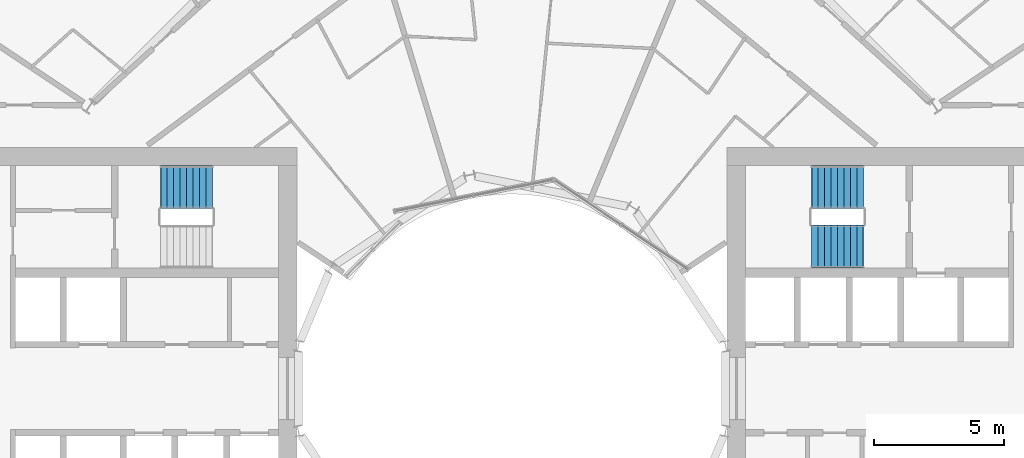
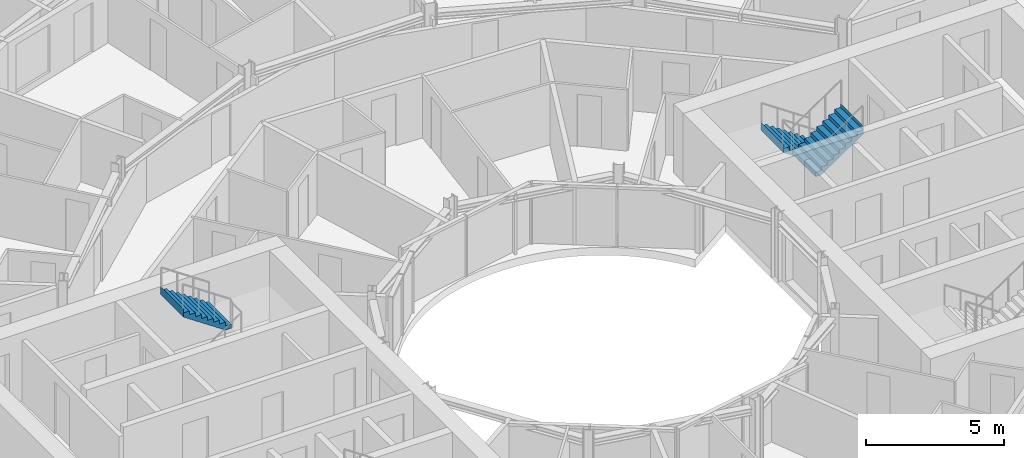
# One storey, part 24 of 26: 3 stair flights, 2 elements without a shape of their own.
"""IFC4 building model written with IfcOpenShell, lengths in metres."""

from ifc_helpers import new_model, si_unit, direction, frame, origin, place, context, subcontext, project, spatial, triangles, material, type_object, element, aggregate, save


model = new_model("IFC4")

# Units and contexts
model_context = context("Model", 3, precision=1e-05, world=origin(), true_north=direction((0.0, 1.0)))
body_context = subcontext(model_context, "Body", "Model", "MODEL_VIEW")
ifc_project = project(units=[si_unit("LENGTHUNIT", "METRE"), si_unit("AREAUNIT", "SQUARE_METRE"), si_unit("VOLUMEUNIT", "CUBIC_METRE"), si_unit("PLANEANGLEUNIT", "RADIAN"), si_unit("MASSUNIT", "GRAM", prefix="KILO")], contexts=[model_context])

# Site, building, storey
site_placement = place(None, origin())
site = spatial("IfcSite", under=ifc_project, at=site_placement, CompositionType="ELEMENT")
building_placement = place(site_placement, origin())
building = spatial("IfcBuilding", under=site, at=building_placement, Name="Maasbend Ring Residences", CompositionType="ELEMENT")
storey_placement = place(building_placement, frame((0.0, 0.0, 81.89990234375)))
storey = spatial("IfcBuildingStorey", under=building, at=storey_placement, Name="L23", CompositionType="ELEMENT", Elevation=81.89990234375)

# Stair, stair flights
ifc_material_1 = material(Name="Concrete C40/50", Category="concrete")
stair_type = type_object("IfcStairType", Name="CORE STAIR 18 RISERS", PredefinedType="HALF_TURN_STAIR", material=ifc_material_1)
stair_1_placement = place(storey_placement, origin())
stair_1 = element("IfcStair", 1, at=stair_1_placement, inside=storey, type_object=stair_type, Name="L23 Exit stair ST-E1", PredefinedType="HALF_TURN_STAIR")
ifc_material_2 = material(Name="Concrete C40/50", Category="concrete")
stair_flight_type = type_object("IfcStairFlightType", Name="CORE STAIR FLIGHT 1650", PredefinedType="STRAIGHT", material=ifc_material_2)
stair_flight_1_placement = place(storey_placement, frame((13.550048828125, 7.77490234375, 0.0), z_axis=(0.0, 0.0, 1.0), x_axis=(-1.0, 0.0, 0.0)))
stair_flight_1 = element("IfcStairFlight", 2, at=stair_flight_1_placement, type_object=stair_flight_type, Name="ST-E1 flight 1", NumberOfRisers=9, NumberOfTreads=8, PredefinedType="STRAIGHT", RiserHeight=0.169444444, TreadLength=0.25, context=body_context, shape_type="Tessellation", body=[
    triangles([(0.24072265625, 0.824951171875, -0.02001953125), (2.0029296875, 0.824951171875, 1.174560546875), (2.0029296875, 0.824951171875, 1.52490234375), (1.989990234375, 0.824951171875, 1.35546875), (1.75, 0.824951171875, 1.35546875), (1.75, 0.824951171875, 1.18603515625), (1.5, 0.824951171875, 1.18603515625), (1.5, 0.824951171875, 1.0166015625), (1.25, 0.824951171875, 1.0166015625), (1.25, 0.824951171875, 0.84716796875), (1.0, 0.824951171875, 0.84716796875), (1.0, 0.824951171875, 0.677734375), (0.75, 0.824951171875, 0.677734375), (0.75, 0.824951171875, 0.50830078125), (0.5, 0.824951171875, 0.50830078125), (0.5, 0.824951171875, 0.3388671875), (0.25, 0.824951171875, 0.3388671875), (0.25, 0.824951171875, 0.16943359375), (0.0, 0.824951171875, 0.16943359375), (0.0, 0.824951171875, 0.0), (-0.0029296875, 0.824951171875, 0.0), (-0.0029296875, 0.824951171875, -0.02001953125), (0.24072265625, 0.27490234375, -0.02001953125), (2.0029296875, 0.27490234375, 1.174560546875), (2.0029296875, 0.27490234375, 1.52490234375), (1.989990234375, 0.27490234375, 1.35546875), (1.75, 0.27490234375, 1.35546875), (1.75, 0.27490234375, 1.18603515625), (1.5, 0.27490234375, 1.18603515625), (1.5, 0.27490234375, 1.0166015625), (1.25, 0.27490234375, 1.0166015625), (1.25, 0.27490234375, 0.84716796875), (1.0, 0.27490234375, 0.84716796875), (1.0, 0.27490234375, 0.677734375), (0.75, 0.27490234375, 0.677734375), (0.75, 0.27490234375, 0.50830078125), (0.5, 0.27490234375, 0.50830078125), (0.5, 0.27490234375, 0.3388671875), (0.25, 0.27490234375, 0.3388671875), (0.25, 0.27490234375, 0.16943359375), (0.0, 0.27490234375, 0.16943359375), (0.0, 0.27490234375, 0.0), (-0.0029296875, 0.27490234375, 0.0), (-0.0029296875, 0.27490234375, -0.02001953125), (0.24072265625, -0.27490234375, -0.02001953125), (2.0029296875, -0.27490234375, 1.174560546875), (2.0029296875, -0.27490234375, 1.52490234375), (1.989990234375, -0.27490234375, 1.35546875), (1.75, -0.27490234375, 1.35546875), (1.75, -0.27490234375, 1.18603515625), (1.5, -0.27490234375, 1.18603515625), (1.5, -0.27490234375, 1.0166015625), (1.25, -0.27490234375, 1.0166015625), (1.25, -0.27490234375, 0.84716796875), (1.0, -0.27490234375, 0.84716796875), (1.0, -0.27490234375, 0.677734375), (0.75, -0.27490234375, 0.677734375), (0.75, -0.27490234375, 0.50830078125), (0.5, -0.27490234375, 0.50830078125), (0.5, -0.27490234375, 0.3388671875), (0.25, -0.27490234375, 0.3388671875), (0.25, -0.27490234375, 0.16943359375), (0.0, -0.27490234375, 0.16943359375), (0.0, -0.27490234375, 0.0), (-0.0029296875, -0.27490234375, 0.0), (-0.0029296875, -0.27490234375, -0.02001953125), (0.24072265625, -0.824951171875, -0.02001953125), (2.0029296875, -0.824951171875, 1.174560546875), (2.0029296875, -0.824951171875, 1.52490234375), (1.989990234375, -0.824951171875, 1.35546875), (1.75, -0.824951171875, 1.35546875), (1.75, -0.824951171875, 1.18603515625), (1.5, -0.824951171875, 1.18603515625), (1.5, -0.824951171875, 1.0166015625), (1.25, -0.824951171875, 1.0166015625), (1.25, -0.824951171875, 0.84716796875), (1.0, -0.824951171875, 0.84716796875), (1.0, -0.824951171875, 0.677734375), (0.75, -0.824951171875, 0.677734375), (0.75, -0.824951171875, 0.50830078125), (0.5, -0.824951171875, 0.50830078125), (0.5, -0.824951171875, 0.3388671875), (0.25, -0.824951171875, 0.3388671875), (0.25, -0.824951171875, 0.16943359375), (0.0, -0.824951171875, 0.16943359375), (0.0, -0.824951171875, 0.0), (-0.0029296875, -0.824951171875, 0.0), (-0.0029296875, -0.824951171875, -0.02001953125)], [[1, 2, 24], [1, 24, 23], [23, 24, 46], [23, 46, 45], [45, 46, 68], [45, 68, 67], [2, 3, 25], [2, 25, 24], [24, 25, 47], [24, 47, 46], [46, 47, 69], [46, 69, 68], [3, 4, 26], [3, 26, 25], [25, 26, 48], [25, 48, 47], [47, 48, 70], [47, 70, 69], [4, 5, 27], [4, 27, 26], [26, 27, 49], [26, 49, 48], [48, 49, 71], [48, 71, 70], [5, 6, 28], [5, 28, 27], [27, 28, 50], [27, 50, 49], [49, 50, 72], [49, 72, 71], [6, 7, 29], [6, 29, 28], [28, 29, 51], [28, 51, 50], [50, 51, 73], [50, 73, 72], [7, 8, 30], [7, 30, 29], [29, 30, 52], [29, 52, 51], [51, 52, 74], [51, 74, 73], [8, 9, 31], [8, 31, 30], [30, 31, 53], [30, 53, 52], [52, 53, 75], [52, 75, 74], [9, 10, 32], [9, 32, 31], [31, 32, 54], [31, 54, 53], [53, 54, 76], [53, 76, 75], [10, 11, 33], [10, 33, 32], [32, 33, 55], [32, 55, 54], [54, 55, 77], [54, 77, 76], [11, 12, 34], [11, 34, 33], [33, 34, 56], [33, 56, 55], [55, 56, 78], [55, 78, 77], [12, 13, 35], [12, 35, 34], [34, 35, 57], [34, 57, 56], [56, 57, 79], [56, 79, 78], [13, 14, 36], [13, 36, 35], [35, 36, 58], [35, 58, 57], [57, 58, 80], [57, 80, 79], [14, 15, 37], [14, 37, 36], [36, 37, 59], [36, 59, 58], [58, 59, 81], [58, 81, 80], [15, 16, 38], [15, 38, 37], [37, 38, 60], [37, 60, 59], [59, 60, 82], [59, 82, 81], [16, 17, 39], [16, 39, 38], [38, 39, 61], [38, 61, 60], [60, 61, 83], [60, 83, 82], [17, 18, 40], [17, 40, 39], [39, 40, 62], [39, 62, 61], [61, 62, 84], [61, 84, 83], [18, 19, 41], [18, 41, 40], [40, 41, 63], [40, 63, 62], [62, 63, 85], [62, 85, 84], [19, 20, 42], [19, 42, 41], [41, 42, 64], [41, 64, 63], [63, 64, 86], [63, 86, 85], [20, 21, 43], [20, 43, 42], [42, 43, 65], [42, 65, 64], [64, 65, 87], [64, 87, 86], [21, 22, 44], [21, 44, 43], [43, 44, 66], [43, 66, 65], [65, 66, 88], [65, 88, 87], [22, 1, 23], [22, 23, 44], [44, 23, 45], [44, 45, 66], [66, 45, 67], [66, 67, 88], [22, 2, 1], [2, 4, 3], [2, 5, 4], [2, 6, 5], [22, 6, 2], [6, 8, 7], [22, 8, 6], [8, 10, 9], [22, 10, 8], [10, 12, 11], [22, 12, 10], [12, 14, 13], [22, 14, 12], [14, 16, 15], [22, 16, 14], [16, 18, 17], [22, 18, 16], [18, 20, 19], [22, 20, 18], [20, 22, 21], [88, 67, 68], [68, 69, 70], [68, 70, 71], [68, 71, 72], [88, 68, 72], [72, 73, 74], [88, 72, 74], [74, 75, 76], [88, 74, 76], [76, 77, 78], [88, 76, 78], [78, 79, 80], [88, 78, 80], [80, 81, 82], [88, 80, 82], [82, 83, 84], [88, 82, 84], [84, 85, 86], [88, 84, 86], [86, 87, 88]], closed=True),
])
stair_flight_2_placement = place(storey_placement, frame((11.550048828125, 5.47509765625, 1.525146484375), z_axis=(0.0, 0.0, 1.0), x_axis=(1.0, 0.0, 0.0)))
stair_flight_2 = element("IfcStairFlight", 3, at=stair_flight_2_placement, type_object=stair_flight_type, Name="ST-E1 flight 2", NumberOfRisers=9, NumberOfTreads=8, PredefinedType="STRAIGHT", RiserHeight=0.169444444, TreadLength=0.25, context=body_context, shape_type="Tessellation", body=[
    triangles([(0.24072265625, 0.824951171875, -0.02001953125), (2.0029296875, 0.824951171875, 1.174560546875), (2.0029296875, 0.824951171875, 1.52490234375), (1.989990234375, 0.824951171875, 1.35546875), (1.75, 0.824951171875, 1.35546875), (1.75, 0.824951171875, 1.18603515625), (1.5, 0.824951171875, 1.18603515625), (1.5, 0.824951171875, 1.0166015625), (1.25, 0.824951171875, 1.0166015625), (1.25, 0.824951171875, 0.84716796875), (1.0, 0.824951171875, 0.84716796875), (1.0, 0.824951171875, 0.677734375), (0.75, 0.824951171875, 0.677734375), (0.75, 0.824951171875, 0.50830078125), (0.5, 0.824951171875, 0.50830078125), (0.5, 0.824951171875, 0.3388671875), (0.25, 0.824951171875, 0.3388671875), (0.25, 0.824951171875, 0.16943359375), (0.0, 0.824951171875, 0.16943359375), (0.0, 0.824951171875, 0.0), (-0.0029296875, 0.824951171875, 0.0), (-0.0029296875, 0.824951171875, -0.02001953125), (0.24072265625, 0.27490234375, -0.02001953125), (2.0029296875, 0.27490234375, 1.174560546875), (2.0029296875, 0.27490234375, 1.52490234375), (1.989990234375, 0.27490234375, 1.35546875), (1.75, 0.27490234375, 1.35546875), (1.75, 0.27490234375, 1.18603515625), (1.5, 0.27490234375, 1.18603515625), (1.5, 0.27490234375, 1.0166015625), (1.25, 0.27490234375, 1.0166015625), (1.25, 0.27490234375, 0.84716796875), (1.0, 0.27490234375, 0.84716796875), (1.0, 0.27490234375, 0.677734375), (0.75, 0.27490234375, 0.677734375), (0.75, 0.27490234375, 0.50830078125), (0.5, 0.27490234375, 0.50830078125), (0.5, 0.27490234375, 0.3388671875), (0.25, 0.27490234375, 0.3388671875), (0.25, 0.27490234375, 0.16943359375), (0.0, 0.27490234375, 0.16943359375), (0.0, 0.27490234375, 0.0), (-0.0029296875, 0.27490234375, 0.0), (-0.0029296875, 0.27490234375, -0.02001953125), (0.24072265625, -0.27490234375, -0.02001953125), (2.0029296875, -0.27490234375, 1.174560546875), (2.0029296875, -0.27490234375, 1.52490234375), (1.989990234375, -0.27490234375, 1.35546875), (1.75, -0.27490234375, 1.35546875), (1.75, -0.27490234375, 1.18603515625), (1.5, -0.27490234375, 1.18603515625), (1.5, -0.27490234375, 1.0166015625), (1.25, -0.27490234375, 1.0166015625), (1.25, -0.27490234375, 0.84716796875), (1.0, -0.27490234375, 0.84716796875), (1.0, -0.27490234375, 0.677734375), (0.75, -0.27490234375, 0.677734375), (0.75, -0.27490234375, 0.50830078125), (0.5, -0.27490234375, 0.50830078125), (0.5, -0.27490234375, 0.3388671875), (0.25, -0.27490234375, 0.3388671875), (0.25, -0.27490234375, 0.16943359375), (0.0, -0.27490234375, 0.16943359375), (0.0, -0.27490234375, 0.0), (-0.0029296875, -0.27490234375, 0.0), (-0.0029296875, -0.27490234375, -0.02001953125), (0.24072265625, -0.824951171875, -0.02001953125), (2.0029296875, -0.824951171875, 1.174560546875), (2.0029296875, -0.824951171875, 1.52490234375), (1.989990234375, -0.824951171875, 1.35546875), (1.75, -0.824951171875, 1.35546875), (1.75, -0.824951171875, 1.18603515625), (1.5, -0.824951171875, 1.18603515625), (1.5, -0.824951171875, 1.0166015625), (1.25, -0.824951171875, 1.0166015625), (1.25, -0.824951171875, 0.84716796875), (1.0, -0.824951171875, 0.84716796875), (1.0, -0.824951171875, 0.677734375), (0.75, -0.824951171875, 0.677734375), (0.75, -0.824951171875, 0.50830078125), (0.5, -0.824951171875, 0.50830078125), (0.5, -0.824951171875, 0.3388671875), (0.25, -0.824951171875, 0.3388671875), (0.25, -0.824951171875, 0.16943359375), (0.0, -0.824951171875, 0.16943359375), (0.0, -0.824951171875, 0.0), (-0.0029296875, -0.824951171875, 0.0), (-0.0029296875, -0.824951171875, -0.02001953125)], [[1, 2, 24], [1, 24, 23], [23, 24, 46], [23, 46, 45], [45, 46, 68], [45, 68, 67], [2, 3, 25], [2, 25, 24], [24, 25, 47], [24, 47, 46], [46, 47, 69], [46, 69, 68], [3, 4, 26], [3, 26, 25], [25, 26, 48], [25, 48, 47], [47, 48, 70], [47, 70, 69], [4, 5, 27], [4, 27, 26], [26, 27, 49], [26, 49, 48], [48, 49, 71], [48, 71, 70], [5, 6, 28], [5, 28, 27], [27, 28, 50], [27, 50, 49], [49, 50, 72], [49, 72, 71], [6, 7, 29], [6, 29, 28], [28, 29, 51], [28, 51, 50], [50, 51, 73], [50, 73, 72], [7, 8, 30], [7, 30, 29], [29, 30, 52], [29, 52, 51], [51, 52, 74], [51, 74, 73], [8, 9, 31], [8, 31, 30], [30, 31, 53], [30, 53, 52], [52, 53, 75], [52, 75, 74], [9, 10, 32], [9, 32, 31], [31, 32, 54], [31, 54, 53], [53, 54, 76], [53, 76, 75], [10, 11, 33], [10, 33, 32], [32, 33, 55], [32, 55, 54], [54, 55, 77], [54, 77, 76], [11, 12, 34], [11, 34, 33], [33, 34, 56], [33, 56, 55], [55, 56, 78], [55, 78, 77], [12, 13, 35], [12, 35, 34], [34, 35, 57], [34, 57, 56], [56, 57, 79], [56, 79, 78], [13, 14, 36], [13, 36, 35], [35, 36, 58], [35, 58, 57], [57, 58, 80], [57, 80, 79], [14, 15, 37], [14, 37, 36], [36, 37, 59], [36, 59, 58], [58, 59, 81], [58, 81, 80], [15, 16, 38], [15, 38, 37], [37, 38, 60], [37, 60, 59], [59, 60, 82], [59, 82, 81], [16, 17, 39], [16, 39, 38], [38, 39, 61], [38, 61, 60], [60, 61, 83], [60, 83, 82], [17, 18, 40], [17, 40, 39], [39, 40, 62], [39, 62, 61], [61, 62, 84], [61, 84, 83], [18, 19, 41], [18, 41, 40], [40, 41, 63], [40, 63, 62], [62, 63, 85], [62, 85, 84], [19, 20, 42], [19, 42, 41], [41, 42, 64], [41, 64, 63], [63, 64, 86], [63, 86, 85], [20, 21, 43], [20, 43, 42], [42, 43, 65], [42, 65, 64], [64, 65, 87], [64, 87, 86], [21, 22, 44], [21, 44, 43], [43, 44, 66], [43, 66, 65], [65, 66, 88], [65, 88, 87], [22, 1, 23], [22, 23, 44], [44, 23, 45], [44, 45, 66], [66, 45, 67], [66, 67, 88], [22, 2, 1], [2, 4, 3], [2, 5, 4], [2, 6, 5], [22, 6, 2], [6, 8, 7], [22, 8, 6], [8, 10, 9], [22, 10, 8], [10, 12, 11], [22, 12, 10], [12, 14, 13], [22, 14, 12], [14, 16, 15], [22, 16, 14], [16, 18, 17], [22, 18, 16], [18, 20, 19], [22, 20, 18], [20, 22, 21], [88, 67, 68], [68, 69, 70], [68, 70, 71], [68, 71, 72], [88, 68, 72], [72, 73, 74], [88, 72, 74], [74, 75, 76], [88, 74, 76], [76, 77, 78], [88, 76, 78], [78, 79, 80], [88, 78, 80], [80, 81, 82], [88, 80, 82], [82, 83, 84], [88, 82, 84], [84, 85, 86], [88, 84, 86], [86, 87, 88]], closed=True),
])
aggregate(stair_1, [stair_flight_1, stair_flight_2])

# Stair, stair flight
stair_2_placement = place(storey_placement, origin())
stair_2 = element("IfcStair", 4, at=stair_2_placement, inside=storey, type_object=stair_type, Name="L23 Exit stair ST-W2", PredefinedType="HALF_TURN_STAIR")
stair_flight_3_placement = place(storey_placement, frame((-11.550048828125, 7.77490234375, 1.525146484375), z_axis=(0.0, 0.0, 1.0), x_axis=(-1.0, 0.0, 0.0)))
stair_flight_3 = element("IfcStairFlight", 5, at=stair_flight_3_placement, type_object=stair_flight_type, Name="ST-W2 flight 2", NumberOfRisers=9, NumberOfTreads=8, PredefinedType="STRAIGHT", RiserHeight=0.169444444, TreadLength=0.25, context=body_context, shape_type="Tessellation", body=[
    triangles([(0.24072265625, 0.824951171875, -0.02001953125), (2.0029296875, 0.824951171875, 1.174560546875), (2.0029296875, 0.824951171875, 1.52490234375), (1.989990234375, 0.824951171875, 1.35546875), (1.75, 0.824951171875, 1.35546875), (1.75, 0.824951171875, 1.18603515625), (1.5, 0.824951171875, 1.18603515625), (1.5, 0.824951171875, 1.0166015625), (1.25, 0.824951171875, 1.0166015625), (1.25, 0.824951171875, 0.84716796875), (1.0, 0.824951171875, 0.84716796875), (1.0, 0.824951171875, 0.677734375), (0.75, 0.824951171875, 0.677734375), (0.75, 0.824951171875, 0.50830078125), (0.5, 0.824951171875, 0.50830078125), (0.5, 0.824951171875, 0.3388671875), (0.25, 0.824951171875, 0.3388671875), (0.25, 0.824951171875, 0.16943359375), (0.0, 0.824951171875, 0.16943359375), (0.0, 0.824951171875, 0.0), (-0.0029296875, 0.824951171875, 0.0), (-0.0029296875, 0.824951171875, -0.02001953125), (0.24072265625, 0.27490234375, -0.02001953125), (2.0029296875, 0.27490234375, 1.174560546875), (2.0029296875, 0.27490234375, 1.52490234375), (1.989990234375, 0.27490234375, 1.35546875), (1.75, 0.27490234375, 1.35546875), (1.75, 0.27490234375, 1.18603515625), (1.5, 0.27490234375, 1.18603515625), (1.5, 0.27490234375, 1.0166015625), (1.25, 0.27490234375, 1.0166015625), (1.25, 0.27490234375, 0.84716796875), (1.0, 0.27490234375, 0.84716796875), (1.0, 0.27490234375, 0.677734375), (0.75, 0.27490234375, 0.677734375), (0.75, 0.27490234375, 0.50830078125), (0.5, 0.27490234375, 0.50830078125), (0.5, 0.27490234375, 0.3388671875), (0.25, 0.27490234375, 0.3388671875), (0.25, 0.27490234375, 0.16943359375), (0.0, 0.27490234375, 0.16943359375), (0.0, 0.27490234375, 0.0), (-0.0029296875, 0.27490234375, 0.0), (-0.0029296875, 0.27490234375, -0.02001953125), (0.24072265625, -0.27490234375, -0.02001953125), (2.0029296875, -0.27490234375, 1.174560546875), (2.0029296875, -0.27490234375, 1.52490234375), (1.989990234375, -0.27490234375, 1.35546875), (1.75, -0.27490234375, 1.35546875), (1.75, -0.27490234375, 1.18603515625), (1.5, -0.27490234375, 1.18603515625), (1.5, -0.27490234375, 1.0166015625), (1.25, -0.27490234375, 1.0166015625), (1.25, -0.27490234375, 0.84716796875), (1.0, -0.27490234375, 0.84716796875), (1.0, -0.27490234375, 0.677734375), (0.75, -0.27490234375, 0.677734375), (0.75, -0.27490234375, 0.50830078125), (0.5, -0.27490234375, 0.50830078125), (0.5, -0.27490234375, 0.3388671875), (0.25, -0.27490234375, 0.3388671875), (0.25, -0.27490234375, 0.16943359375), (0.0, -0.27490234375, 0.16943359375), (0.0, -0.27490234375, 0.0), (-0.0029296875, -0.27490234375, 0.0), (-0.0029296875, -0.27490234375, -0.02001953125), (0.24072265625, -0.824951171875, -0.02001953125), (2.0029296875, -0.824951171875, 1.174560546875), (2.0029296875, -0.824951171875, 1.52490234375), (1.989990234375, -0.824951171875, 1.35546875), (1.75, -0.824951171875, 1.35546875), (1.75, -0.824951171875, 1.18603515625), (1.5, -0.824951171875, 1.18603515625), (1.5, -0.824951171875, 1.0166015625), (1.25, -0.824951171875, 1.0166015625), (1.25, -0.824951171875, 0.84716796875), (1.0, -0.824951171875, 0.84716796875), (1.0, -0.824951171875, 0.677734375), (0.75, -0.824951171875, 0.677734375), (0.75, -0.824951171875, 0.50830078125), (0.5, -0.824951171875, 0.50830078125), (0.5, -0.824951171875, 0.3388671875), (0.25, -0.824951171875, 0.3388671875), (0.25, -0.824951171875, 0.16943359375), (0.0, -0.824951171875, 0.16943359375), (0.0, -0.824951171875, 0.0), (-0.0029296875, -0.824951171875, 0.0), (-0.0029296875, -0.824951171875, -0.02001953125)], [[1, 2, 24], [1, 24, 23], [23, 24, 46], [23, 46, 45], [45, 46, 68], [45, 68, 67], [2, 3, 25], [2, 25, 24], [24, 25, 47], [24, 47, 46], [46, 47, 69], [46, 69, 68], [3, 4, 26], [3, 26, 25], [25, 26, 48], [25, 48, 47], [47, 48, 70], [47, 70, 69], [4, 5, 27], [4, 27, 26], [26, 27, 49], [26, 49, 48], [48, 49, 71], [48, 71, 70], [5, 6, 28], [5, 28, 27], [27, 28, 50], [27, 50, 49], [49, 50, 72], [49, 72, 71], [6, 7, 29], [6, 29, 28], [28, 29, 51], [28, 51, 50], [50, 51, 73], [50, 73, 72], [7, 8, 30], [7, 30, 29], [29, 30, 52], [29, 52, 51], [51, 52, 74], [51, 74, 73], [8, 9, 31], [8, 31, 30], [30, 31, 53], [30, 53, 52], [52, 53, 75], [52, 75, 74], [9, 10, 32], [9, 32, 31], [31, 32, 54], [31, 54, 53], [53, 54, 76], [53, 76, 75], [10, 11, 33], [10, 33, 32], [32, 33, 55], [32, 55, 54], [54, 55, 77], [54, 77, 76], [11, 12, 34], [11, 34, 33], [33, 34, 56], [33, 56, 55], [55, 56, 78], [55, 78, 77], [12, 13, 35], [12, 35, 34], [34, 35, 57], [34, 57, 56], [56, 57, 79], [56, 79, 78], [13, 14, 36], [13, 36, 35], [35, 36, 58], [35, 58, 57], [57, 58, 80], [57, 80, 79], [14, 15, 37], [14, 37, 36], [36, 37, 59], [36, 59, 58], [58, 59, 81], [58, 81, 80], [15, 16, 38], [15, 38, 37], [37, 38, 60], [37, 60, 59], [59, 60, 82], [59, 82, 81], [16, 17, 39], [16, 39, 38], [38, 39, 61], [38, 61, 60], [60, 61, 83], [60, 83, 82], [17, 18, 40], [17, 40, 39], [39, 40, 62], [39, 62, 61], [61, 62, 84], [61, 84, 83], [18, 19, 41], [18, 41, 40], [40, 41, 63], [40, 63, 62], [62, 63, 85], [62, 85, 84], [19, 20, 42], [19, 42, 41], [41, 42, 64], [41, 64, 63], [63, 64, 86], [63, 86, 85], [20, 21, 43], [20, 43, 42], [42, 43, 65], [42, 65, 64], [64, 65, 87], [64, 87, 86], [21, 22, 44], [21, 44, 43], [43, 44, 66], [43, 66, 65], [65, 66, 88], [65, 88, 87], [22, 1, 23], [22, 23, 44], [44, 23, 45], [44, 45, 66], [66, 45, 67], [66, 67, 88], [22, 2, 1], [2, 4, 3], [2, 5, 4], [2, 6, 5], [22, 6, 2], [6, 8, 7], [22, 8, 6], [8, 10, 9], [22, 10, 8], [10, 12, 11], [22, 12, 10], [12, 14, 13], [22, 14, 12], [14, 16, 15], [22, 16, 14], [16, 18, 17], [22, 18, 16], [18, 20, 19], [22, 20, 18], [20, 22, 21], [88, 67, 68], [68, 69, 70], [68, 70, 71], [68, 71, 72], [88, 68, 72], [72, 73, 74], [88, 72, 74], [74, 75, 76], [88, 74, 76], [76, 77, 78], [88, 76, 78], [78, 79, 80], [88, 78, 80], [80, 81, 82], [88, 80, 82], [82, 83, 84], [88, 82, 84], [84, 85, 86], [88, 84, 86], [86, 87, 88]], closed=True),
])
aggregate(stair_2, [stair_flight_3])

save(model, "model.ifc")
